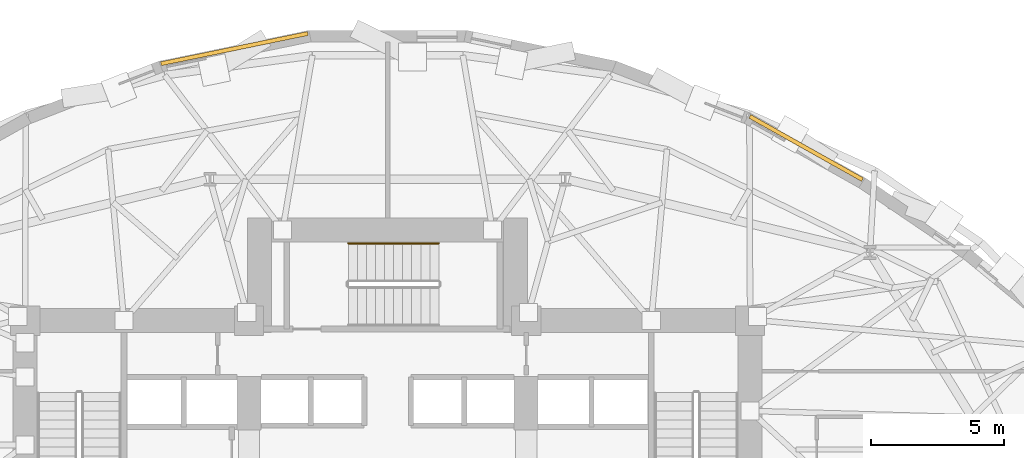
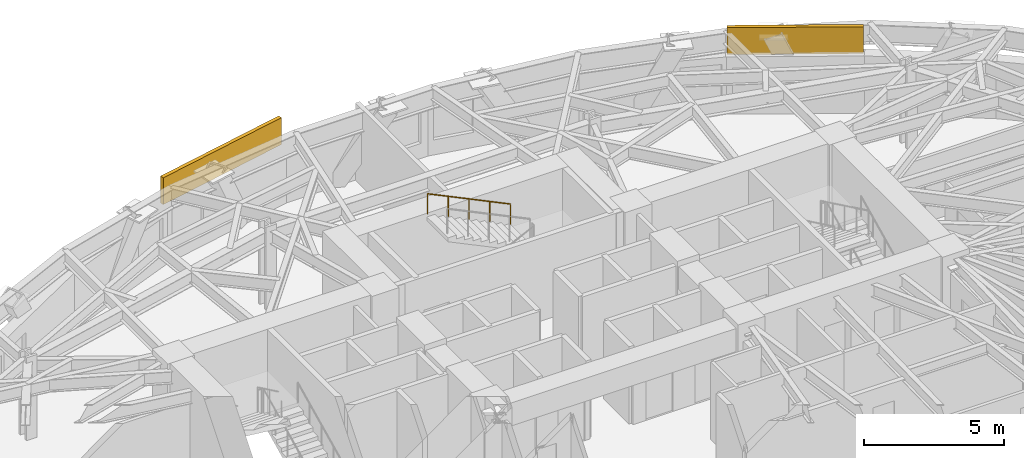
# One storey, part 14 of 14: 2 coverings, 1 railing.
"""IFC4 building model written with IfcOpenShell, lengths in metres."""

from ifc_helpers import new_model, si_unit, direction, frame, origin, origin_2d, place, context, subcontext, project, spatial, rectangle, circle, extrude, material, layer, layer_set, type_object, element, save


model = new_model("IFC4")

# Units and contexts
model_context = context("Model", 3, precision=1e-05, world=origin(), true_north=direction((0.0, 1.0)))
body_context = subcontext(model_context, "Body", "Model", "MODEL_VIEW")
ifc_project = project(units=[si_unit("LENGTHUNIT", "METRE"), si_unit("AREAUNIT", "SQUARE_METRE"), si_unit("VOLUMEUNIT", "CUBIC_METRE"), si_unit("PLANEANGLEUNIT", "RADIAN"), si_unit("MASSUNIT", "GRAM", prefix="KILO")], contexts=[model_context])

# Site, building, storey
site_placement = place(None, origin())
site = spatial("IfcSite", under=ifc_project, at=site_placement, CompositionType="ELEMENT")
building_placement = place(site_placement, origin())
building = spatial("IfcBuilding", under=site, at=building_placement, Name="Keldmark Tower", CompositionType="ELEMENT")
storey_placement = place(building_placement, frame((0.0, 0.0, 73.800048828125)))
storey = spatial("IfcBuildingStorey", under=building, at=storey_placement, Name="L19", CompositionType="ELEMENT", Elevation=73.800048828125)

# Coverings
ifc_material_1 = material(Name="Honed Kasota Buff Dolomitic Limestone", Category="masonry")
ifc_layer = layer(ifc_material_1, 0.074951171875)
ifc_layer_set = layer_set([ifc_layer], Name="Honed Kasota Buff Dolomitic Limestone")
covering_type = type_object("IfcCoveringType", Name="Kasota Buff Limestone Spandrel Cladding Band", PredefinedType="CLADDING", material=ifc_layer_set)
covering_1_placement = place(storey_placement, frame((15.702392578125, 15.928466796875, 2.412841796875), z_axis=(0.0, 0.0, 1.0), x_axis=(-0.871889845824, 0.489702048953, 0.0)))
element("IfcCovering", 1, at=covering_1_placement, inside=storey, type_object=covering_type, Name="L19 Kasota Limestone Spandrel Band 05", PredefinedType="CLADDING", context=body_context, shape_type="SweptSolid", body=[
    extrude(rectangle(XDim=4.84814453125, YDim=0.14990234375, at=origin_2d()), origin(), (0.0, 0.0, 1.0), 1.1669921875),
])
covering_2_placement = place(storey_placement, frame((-5.747314453125, 19.658447265625, 2.412841796875), z_axis=(0.0, 0.0, 1.0), x_axis=(-0.979487419559, -0.201505322326, 0.0)))
element("IfcCovering", 2, at=covering_2_placement, inside=storey, type_object=covering_type, Name="L19 Kasota Limestone Spandrel Band 09", PredefinedType="CLADDING", context=body_context, shape_type="SweptSolid", body=[
    extrude(rectangle(XDim=5.62646484375, YDim=0.14990234375, at=origin_2d()), origin(), (0.0, 0.0, 1.0), 1.1669921875),
])

# Railing
ifc_material_2 = material(Name="Stainless Steel AISI 316L", Category="steel")
railing_type = type_object("IfcRailingType", Name="Stainless Steel Stair Handrail 900 mm", PredefinedType="HANDRAIL", material=ifc_material_2)
railing_placement = place(storey_placement, frame((1.925048828125, 12.35009765625, 1.963623046875)))
element("IfcRailing", 3, at=railing_placement, inside=storey, type_object=railing_type, Name="L19 ST3 stair handrail 2", PredefinedType="HANDRAIL", context=body_context, shape_type="SweptSolid", body=[
    extrude(circle(Radius=0.02392578125, at=origin_2d()), frame((0.0, 0.0, 0.8759765625), z_axis=(-0.901092505359, 0.0, 0.433626909666), x_axis=(0.0, -1.0, 0.0)), (0.0, 0.0, 1.0), 3.7734375),
    extrude(circle(Radius=0.02099609375, at=origin_2d()), origin(), (0.0, 0.0, 1.0), 0.851806640625),
    extrude(circle(Radius=0.02099609375, at=origin_2d()), frame((-0.85009765625, 0.0, 0.4091796875)), (0.0, 0.0, 1.0), 0.851806640625),
    extrude(circle(Radius=0.02099609375, at=origin_2d()), frame((-1.7001953125, 0.0, 0.818115234375)), (0.0, 0.0, 1.0), 0.851806640625),
    extrude(circle(Radius=0.02099609375, at=origin_2d()), frame((-2.550048828125, 0.0, 1.22705078125)), (0.0, 0.0, 1.0), 0.851806640625),
    extrude(circle(Radius=0.02099609375, at=origin_2d()), frame((-3.400146484375, 0.0, 1.63623046875)), (0.0, 0.0, 1.0), 0.851806640625),
])

save(model, "model.ifc")
